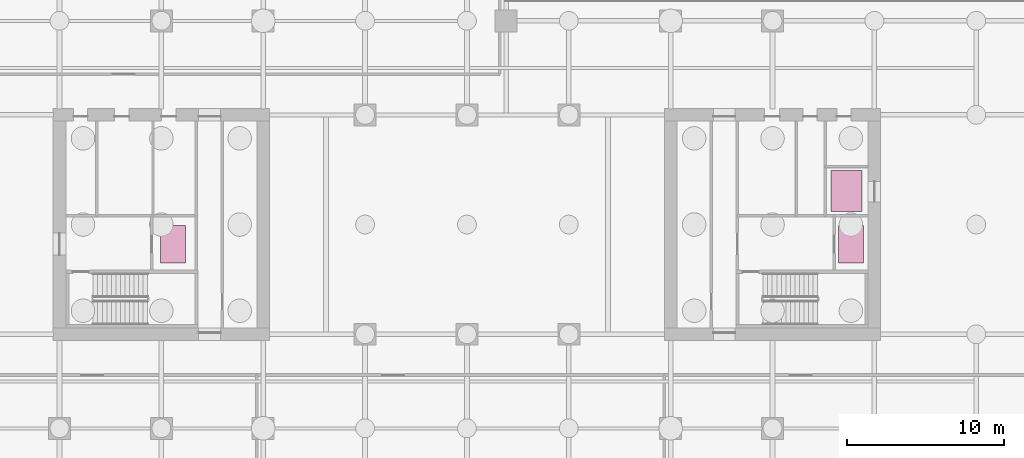
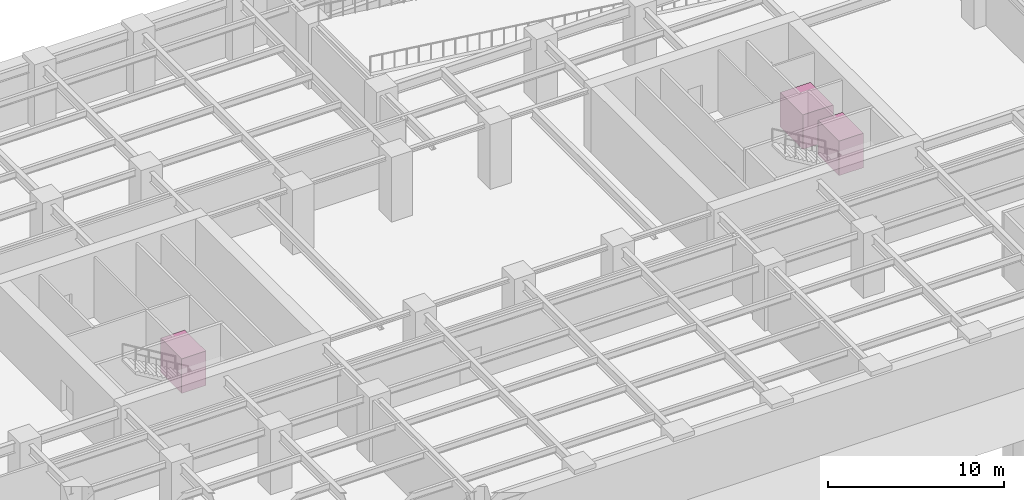
# One storey, part 11 of 11: 3 transport elements.
"""IFC4 building model written with IfcOpenShell, lengths in metres."""

from ifc_helpers import new_model, si_unit, direction, frame, origin, origin_2d, place, context, subcontext, project, spatial, rectangle, extrude, material, type_object, element, save


model = new_model("IFC4")

# Units and contexts
model_context = context("Model", 3, precision=1e-05, world=origin(), true_north=direction((0.0, 1.0)))
body_context = subcontext(model_context, "Body", "Model", "MODEL_VIEW")
ifc_project = project(units=[si_unit("LENGTHUNIT", "METRE"), si_unit("AREAUNIT", "SQUARE_METRE"), si_unit("VOLUMEUNIT", "CUBIC_METRE"), si_unit("PLANEANGLEUNIT", "RADIAN"), si_unit("MASSUNIT", "GRAM", prefix="KILO")], contexts=[model_context])

# Site, building, storey
site_placement = place(None, origin())
site = spatial("IfcSite", under=ifc_project, at=site_placement, CompositionType="ELEMENT")
building_placement = place(site_placement, origin())
building = spatial("IfcBuilding", under=site, at=building_placement, Name="Putna Gate Headquarters", CompositionType="ELEMENT")
storey_placement = place(building_placement, frame((0.0, 0.0, -13.5)))
storey = spatial("IfcBuildingStorey", under=building, at=storey_placement, Name="B03", CompositionType="ELEMENT", Elevation=-13.5)

# Transport elements
ifc_material_1 = material(Name="Fire-rated stainless steel firefighters elevator cab", Category="steel")
transport_element_type_1 = type_object("IfcTransportElementType", Name="LIFT-FFL-1800KG", PredefinedType="ELEVATOR", material=ifc_material_1)
for number, where, z_axis, x_axis, name in (
    (1, (20.25, 24.75, 0.0), (0.0, 0.0, 1.0), (1.0, 0.0, 0.0), "Firefighting Lift LF-13"),
    (2, (63.5, 24.75, 0.0), (0.0, 0.0, 1.0), (1.0, 0.0, 0.0), "Firefighting Lift LF-14"),
):
    element("IfcTransportElement", number, at=place(storey_placement, frame(where, z_axis=z_axis, x_axis=x_axis)), inside=storey, type_object=transport_element_type_1, Name=name, PredefinedType="ELEVATOR", context=body_context, shape_type="SweptSolid", body=[
        extrude(rectangle(XDim=1.60009765625, YDim=2.39990234375, at=origin_2d()), origin(), (0.0, 0.0, 1.0), 2.39990234375),
    ])
ifc_material_2 = material(Name="Heavy-duty stainless steel goods elevator cab", Category="steel")
transport_element_type_2 = type_object("IfcTransportElementType", Name="LIFT-GOODS-2500KG", PredefinedType="ELEVATOR", material=ifc_material_2)
transport_element_placement = place(storey_placement, frame((63.219970703125, 28.139892578125, 0.0), z_axis=(0.0, 0.0, 1.0), x_axis=(1.0, 0.0, 0.0)))
element("IfcTransportElement", 3, at=transport_element_placement, inside=storey, type_object=transport_element_type_2, Name="Goods Service Lift LF-15", PredefinedType="ELEVATOR", context=body_context, shape_type="SweptSolid", body=[
    extrude(rectangle(XDim=2.0, YDim=2.60009765625, at=origin_2d()), origin(), (0.0, 0.0, 1.0), 2.39990234375),
])

save(model, "model.ifc")
